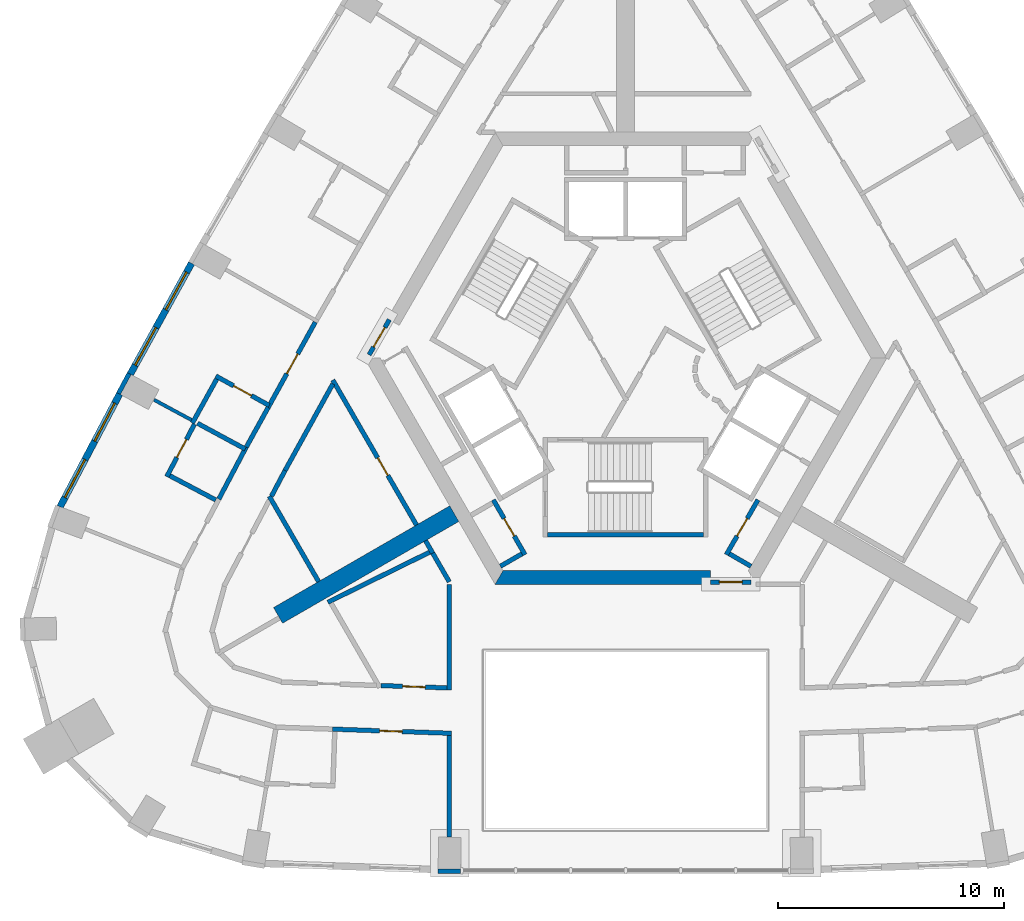
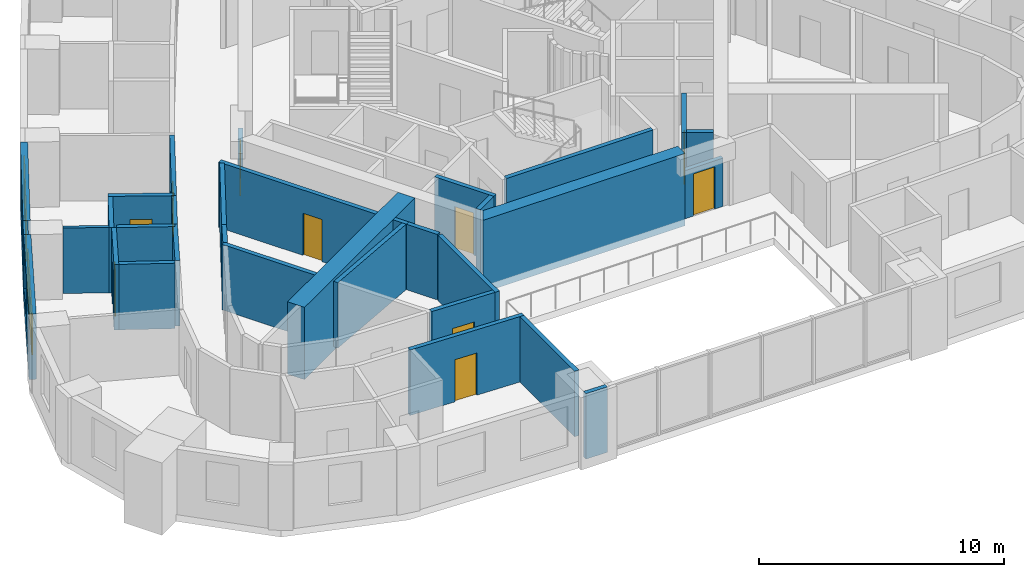
# One storey, part 4 of 12: 33 walls, 10 doors, 4 windows, 14 openings.
"""IFC4 building model written with IfcOpenShell, lengths in metres."""

from ifc_helpers import new_model, si_unit, direction, frame, frame_2d, origin, place, context, subcontext, project, spatial, polyline, rectangle, outline, extrude, material, layer, layer_set, type_object, element, fill, save


model = new_model("IFC4")

# Units and contexts
model_context = context("Model", 3, precision=1e-05, world=origin(), true_north=direction((0.0, 1.0)))
body_context = subcontext(model_context, "Body", "Model", "MODEL_VIEW")
ifc_project = project(units=[si_unit("LENGTHUNIT", "METRE"), si_unit("AREAUNIT", "SQUARE_METRE"), si_unit("VOLUMEUNIT", "CUBIC_METRE"), si_unit("PLANEANGLEUNIT", "RADIAN"), si_unit("MASSUNIT", "GRAM", prefix="KILO")], contexts=[model_context])

# Site, building, storey
site_placement = place(None, origin())
site = spatial("IfcSite", under=ifc_project, at=site_placement, CompositionType="ELEMENT")
building_placement = place(site_placement, origin())
building = spatial("IfcBuilding", under=site, at=building_placement, Name="Entoto Arch Interchange Tower", CompositionType="ELEMENT")
storey_placement = place(building_placement, frame((0.0, 0.0, 255.800048828125)))
storey = spatial("IfcBuildingStorey", under=building, at=storey_placement, Name="L58", CompositionType="ELEMENT", Elevation=255.800048828125)

# Wall
ifc_material_1 = material(Name="Concrete C40/50", Category="concrete")
ifc_layer_1 = layer(ifc_material_1, 0.800048828125)
ifc_layer_set_1 = layer_set([ifc_layer_1], Name="Concrete C40/50")
wall_type_1 = type_object("IfcWallType", Name="Buttress wall 800 C40/50", PredefinedType="SHEAR", material=ifc_layer_set_1)
wall_1_placement = place(storey_placement, frame((-7.577880859375, -4.375, -0.340087890625), z_axis=(0.0, 0.0, 1.0), x_axis=(-0.866024315419, -0.5000018851, 0.0)))
element("IfcWall", 1, at=wall_1_placement, inside=storey, type_object=wall_type_1, Name="Buttress wall SW L58", PredefinedType="SHEAR", context=body_context, shape_type="SweptSolid", body=[
    extrude(rectangle(XDim=9.0, YDim=0.800048828125, at=frame_2d((4.5, 0.0))), origin(), (0.0, 0.0, 1.0), 3.60009765625),
])

# Wall, opening, door
ifc_material_2 = material(Name="Reinforced concrete C40/50", Category="concrete")
ifc_layer_2 = layer(ifc_material_2, 0.199951171875)
ifc_layer_set_2 = layer_set([ifc_layer_2], Name="Reinforced concrete C40/50")
wall_type_2 = type_object("IfcWallType", Name="CORE GAP INFILL WALL", PredefinedType="PARTITIONING", material=ifc_layer_set_2)
wall_2_placement = place(storey_placement, frame((3.75, -7.39990234375, 0.0), z_axis=(0.0, 0.0, 1.0), x_axis=(1.0, 0.0, 0.0)))
wall_2 = element("IfcWall", 2, at=wall_2_placement, inside=storey, type_object=wall_type_2, Name="wall:L58:gap1", PredefinedType="PARTITIONING", context=body_context, shape_type="SweptSolid", body=[
    extrude(rectangle(XDim=1.7939453125, YDim=0.199951171875, at=frame_2d((0.89697265625, 0.0))), origin(), (0.0, 0.0, 1.0), 2.39990234375),
])
opening_1_placement = place(wall_2_placement, frame((0.39697265625, 0.0, 0.0)))
opening_1 = element("IfcOpeningElement", 3, at=opening_1_placement, cuts=wall_2, Name="Opening L58-D91", PredefinedType="OPENING", context=body_context, shape_type="SweptSolid", body=[
    extrude(rectangle(XDim=1.0, YDim=2.10009765625, at=frame_2d((0.5, 1.050048828125))), frame((0.0, 0.10986328125, 0.0), z_axis=(0.0, -1.0, 0.0), x_axis=(1.0, 0.0, 0.0)), (0.0, 0.0, 1.0), 0.219970703125),
])
ifc_material_3 = material(Name="Fire-rated Steel S235 door and frame", Category="steel")
door_type_1 = type_object("IfcDoorType", Name="DOOR FD-10 1000x2100", OperationType="SINGLE_SWING_LEFT", PredefinedType="DOOR", material=ifc_material_3)
door_1_placement = place(opening_1_placement, origin())
door_1 = element("IfcDoor", 4, at=door_1_placement, inside=storey, type_object=door_type_1, Name="door:L58:gap1", OperationType="SINGLE_SWING_LEFT", OverallHeight=2.10009765625, OverallWidth=1.0, PredefinedType="DOOR", context=body_context, shape_type="SweptSolid", body=[
    extrude(rectangle(XDim=1.0, YDim=2.10009765625, at=frame_2d((0.5, 1.050048828125))), frame((0.0, 0.02490234375, 0.0), z_axis=(0.0, -1.0, 0.0), x_axis=(1.0, 0.0, 0.0)), (0.0, 0.0, 1.0), 0.050048828125),
])
fill(opening_1, door_1)

wall_3_placement = place(storey_placement, frame((-10.448974609375, 4.202880859375, 0.0), z_axis=(0.0, 0.0, 1.0), x_axis=(-0.499914839587, -0.866074565589, 0.0)))
wall_3 = element("IfcWall", 5, at=wall_3_placement, inside=storey, type_object=wall_type_2, Name="wall:L58:gap3", PredefinedType="PARTITIONING", context=body_context, shape_type="SweptSolid", body=[
    extrude(rectangle(XDim=1.794189453125, YDim=0.199951171875, at=frame_2d((0.89697265625, 0.0))), origin(), (0.0, 0.0, 1.0), 2.39990234375),
])
opening_2_placement = place(wall_3_placement, frame((0.39697265625, 0.0, 0.0)))
opening_2 = element("IfcOpeningElement", 6, at=opening_2_placement, cuts=wall_3, Name="Opening L58-D93", PredefinedType="OPENING", context=body_context, shape_type="SweptSolid", body=[
    extrude(rectangle(XDim=1.0, YDim=2.10009765625, at=frame_2d((0.5, 1.050048828125))), frame((0.0, 0.10986328125, 0.0), z_axis=(0.0, -1.0, 0.0), x_axis=(1.0, 0.0, 0.0)), (0.0, 0.0, 1.0), 0.219970703125),
])
door_2_placement = place(opening_2_placement, origin())
door_2 = element("IfcDoor", 7, at=door_2_placement, inside=storey, type_object=door_type_1, Name="door:L58:gap3", OperationType="SINGLE_SWING_LEFT", OverallHeight=2.10009765625, OverallWidth=1.0, PredefinedType="DOOR", context=body_context, shape_type="SweptSolid", body=[
    extrude(rectangle(XDim=1.0, YDim=2.10009765625, at=frame_2d((0.5, 1.050048828125))), frame((0.0, 0.02490234375, 0.0), z_axis=(0.0, -1.0, 0.0), x_axis=(1.0, 0.0, 0.0)), (0.0, 0.0, 1.0), 0.050048828125),
])
fill(opening_2, door_2)

# Walls
ifc_layer_3 = layer(ifc_material_1, 0.60009765625)
ifc_layer_set_3 = layer_set([ifc_layer_3], Name="Concrete C40/50")
wall_type_3 = type_object("IfcWallType", Name="Core wall 600 C40/50", PredefinedType="SHEAR", material=ifc_layer_set_3)
wall_4_placement = place(storey_placement, frame((0.0, 0.0, -0.340087890625)))
element("IfcWall", 8, at=wall_4_placement, inside=storey, type_object=wall_type_3, Name="Core wall S L58", PredefinedType="SHEAR", context=body_context, shape_type="SweptSolid", body=[
    extrude(outline(polyline([(3.75, -7.5), (3.75, -6.89990234375), (-5.427001953125, -6.89990234375), (-5.77392578125, -7.5), (3.75, -7.5)])), origin(), (0.0, 0.0, 1.0), 3.60009765625),
])
ifc_material_4 = material(Name="Gypsum board partition on steel studs", Category="steel")
ifc_layer_4 = layer(ifc_material_4, 0.14990234375)
ifc_layer_set_4 = layer_set([ifc_layer_4], Name="Gypsum board partition on steel studs")
wall_type_4 = type_object("IfcWallType", Name="PARTITION 150", PredefinedType="PARTITIONING", material=ifc_layer_set_4)
wall_5_placement = place(storey_placement, frame((-19.198974609375, -0.235107421875, 0.0), z_axis=(0.0, 0.0, 1.0), x_axis=(-0.880166754904, 0.474664601126, 0.0)))
element("IfcWall", 9, at=wall_5_placement, inside=storey, type_object=wall_type_4, Name="wall:L58:p170", PredefinedType="PARTITIONING", context=body_context, shape_type="SweptSolid", body=[
    extrude(rectangle(XDim=1.88134765625, YDim=0.14990234375, at=frame_2d((0.940673828125, 0.0))), origin(), (0.0, 0.0, 1.0), 3.260009765625),
])
ifc_layer_5 = layer(ifc_material_4, 0.199951171875)
ifc_layer_set_5 = layer_set([ifc_layer_5], Name="Gypsum board partition on steel studs")
wall_type_5 = type_object("IfcWallType", Name="PARTITION 200", PredefinedType="PARTITIONING", material=ifc_layer_set_5)
wall_6_placement = place(storey_placement, frame((-8.531982421875, -6.123046875, 0.0), z_axis=(0.0, 0.0, 1.0), x_axis=(-0.499977104415, 0.866038622153, 0.0)))
element("IfcWall", 10, at=wall_6_placement, inside=storey, type_object=wall_type_5, Name="wall:L58:p025", PredefinedType="PARTITIONING", context=body_context, shape_type="SweptSolid", body=[
    extrude(rectangle(XDim=0.63623046875, YDim=0.199951171875, at=frame_2d((0.318115234375, 0.0))), origin(), (0.0, 0.0, 1.0), 3.260009765625),
])
wall_7_placement = place(storey_placement, frame((-12.949951171875, 1.360107421875, 0.0), z_axis=(0.0, 0.0, 1.0), x_axis=(-0.483418231124, -0.875389521194, 0.0)))
element("IfcWall", 11, at=wall_7_placement, inside=storey, type_object=wall_type_5, Name="wall:L58:p026", PredefinedType="PARTITIONING", context=body_context, shape_type="SweptSolid", body=[
    extrude(rectangle(XDim=4.373046875, YDim=0.199951171875, at=frame_2d((2.1865234375, 0.0))), origin(), (0.0, 0.0, 1.0), 3.260009765625),
])
wall_8_placement = place(storey_placement, frame((-15.06396484375, -2.468017578125, 0.0), z_axis=(0.0, 0.0, 1.0), x_axis=(-0.467126648849, -0.884190417238, 0.0)))
element("IfcWall", 12, at=wall_8_placement, inside=storey, type_object=wall_type_5, Name="wall:L58:p027", PredefinedType="PARTITIONING", context=body_context, shape_type="SweptSolid", body=[
    extrude(rectangle(XDim=1.282470703125, YDim=0.199951171875, at=frame_2d((0.64111328125, 0.0))), origin(), (0.0, 0.0, 1.0), 3.260009765625),
])
wall_9_placement = place(storey_placement, frame((-7.800048828125, -7.389892578125, 0.0), z_axis=(0.0, 0.0, 1.0), x_axis=(-0.500266477503, 0.865871498253, 0.0)))
element("IfcWall", 13, at=wall_9_placement, inside=storey, type_object=wall_type_5, Name="wall:L58:p028", PredefinedType="PARTITIONING", context=body_context, shape_type="SweptSolid", body=[
    extrude(rectangle(XDim=1.463134765625, YDim=0.199951171875, at=frame_2d((0.7314453125, 0.0))), origin(), (0.0, 0.0, 1.0), 3.260009765625),
])

# Wall, opening, door
wall_10_placement = place(storey_placement, frame((-10.825927734375, -11.97802734375, 0.0), z_axis=(0.0, 0.0, 1.0), x_axis=(0.999380679818, -0.035188873332, 0.0)))
wall_10 = element("IfcWall", 14, at=wall_10_placement, inside=storey, type_object=wall_type_5, Name="wall:L58:p029", PredefinedType="PARTITIONING", context=body_context, shape_type="SweptSolid", body=[
    extrude(rectangle(XDim=2.927734375, YDim=0.199951171875, at=frame_2d((1.4638671875, 0.0))), origin(), (0.0, 0.0, 1.0), 3.260009765625),
])
opening_3_placement = place(wall_10_placement, frame((0.964111328125, 0.0, 0.0)))
opening_3 = element("IfcOpeningElement", 15, at=opening_3_placement, cuts=wall_10, Name="Opening L58-D41", PredefinedType="OPENING", context=body_context, shape_type="SweptSolid", body=[
    extrude(rectangle(XDim=1.0, YDim=2.10009765625, at=frame_2d((0.5, 1.050048828125))), frame((0.0, 0.10986328125, 0.0), z_axis=(0.0, -1.0, 0.0), x_axis=(1.0, 0.0, 0.0)), (0.0, 0.0, 1.0), 0.219970703125),
])
ifc_material_5 = material(Name="Timber door leaf in Steel S235 frame", Category="steel")
door_type_2 = type_object("IfcDoorType", Name="DOOR DS-10 1000x2100", OperationType="SINGLE_SWING_LEFT", PredefinedType="DOOR", material=ifc_material_5)
door_3_placement = place(opening_3_placement, origin())
door_3 = element("IfcDoor", 16, at=door_3_placement, inside=storey, type_object=door_type_2, Name="door:L58:41", OperationType="SINGLE_SWING_LEFT", OverallHeight=2.10009765625, OverallWidth=1.0, PredefinedType="DOOR", context=body_context, shape_type="SweptSolid", body=[
    extrude(rectangle(XDim=1.0, YDim=2.10009765625, at=frame_2d((0.5, 1.050048828125))), frame((0.0, 0.02490234375, 0.0), z_axis=(0.0, -1.0, 0.0), x_axis=(1.0, 0.0, 0.0)), (0.0, 0.0, 1.0), 0.050048828125),
])
fill(opening_3, door_3)

wall_11_placement = place(storey_placement, frame((-15.80908203125, 0.320068359375, 0.0), z_axis=(0.0, 0.0, 1.0), x_axis=(0.483322920175, 0.875442148193, 0.0)))
wall_11 = element("IfcWall", 17, at=wall_11_placement, inside=storey, type_object=wall_type_5, Name="wall:L58:p062", PredefinedType="PARTITIONING", context=body_context, shape_type="SweptSolid", body=[
    extrude(rectangle(XDim=4.309814453125, YDim=0.199951171875, at=frame_2d((2.15478515625, 0.0))), origin(), (0.0, 0.0, 1.0), 3.260009765625),
])
opening_4_placement = place(wall_11_placement, frame((1.705078125, 0.0, 0.0)))
opening_4 = element("IfcOpeningElement", 18, at=opening_4_placement, cuts=wall_11, Name="Opening L58-D25", PredefinedType="OPENING", context=body_context, shape_type="SweptSolid", body=[
    extrude(rectangle(XDim=1.0, YDim=2.10009765625, at=frame_2d((0.5, 1.050048828125))), frame((0.0, 0.10986328125, 0.0), z_axis=(0.0, -1.0, 0.0), x_axis=(1.0, 0.0, 0.0)), (0.0, 0.0, 1.0), 0.219970703125),
])
door_4_placement = place(opening_4_placement, origin())
door_4 = element("IfcDoor", 19, at=door_4_placement, inside=storey, type_object=door_type_1, Name="door:L58:25", OperationType="SINGLE_SWING_RIGHT", OverallHeight=2.10009765625, OverallWidth=1.0, PredefinedType="DOOR", context=body_context, shape_type="SweptSolid", body=[
    extrude(rectangle(XDim=1.0, YDim=2.10009765625, at=frame_2d((0.5, 1.050048828125))), frame((0.0, 0.02490234375, 0.0), z_axis=(0.0, -1.0, 0.0), x_axis=(1.0, 0.0, 0.0)), (0.0, 0.0, 1.0), 0.050048828125),
])
fill(opening_4, door_4)

# Walls
wall_12_placement = place(storey_placement, frame((-16.77587890625, -1.429931640625, 0.0), z_axis=(0.0, 0.0, 1.0), x_axis=(0.48360724937, 0.87528511261, 0.0)))
element("IfcWall", 20, at=wall_12_placement, inside=storey, type_object=wall_type_5, Name="wall:L58:p063", PredefinedType="PARTITIONING", context=body_context, shape_type="SweptSolid", body=[
    extrude(rectangle(XDim=1.9970703125, YDim=0.199951171875, at=frame_2d((0.99853515625, 0.0))), origin(), (0.0, 0.0, 1.0), 3.260009765625),
])
wall_13_placement = place(storey_placement, frame((-17.990966796875, -3.72900390625, 0.0), z_axis=(0.0, 0.0, 1.0), x_axis=(0.466450569784, 0.88454726609, 0.0)))
element("IfcWall", 21, at=wall_13_placement, inside=storey, type_object=wall_type_5, Name="wall:L58:p065", PredefinedType="PARTITIONING", context=body_context, shape_type="SweptSolid", body=[
    extrude(rectangle(XDim=2.600341796875, YDim=0.199951171875, at=frame_2d((1.30029296875, 0.0))), origin(), (0.0, 0.0, 1.0), 3.260009765625),
])

# Wall, opening, door
wall_14_placement = place(storey_placement, frame((-7.699951171875, -14.089111328125, 0.0), z_axis=(0.0, 0.0, 1.0), x_axis=(-0.999388410674, 0.034968623214, 0.0)))
wall_14 = element("IfcWall", 22, at=wall_14_placement, inside=storey, type_object=wall_type_5, Name="wall:L58:p070", PredefinedType="PARTITIONING", context=body_context, shape_type="SweptSolid", body=[
    extrude(rectangle(XDim=5.26416015625, YDim=0.199951171875, at=frame_2d((2.632080078125, 0.0))), origin(), (0.0, 0.0, 1.0), 3.260009765625),
])
opening_5_placement = place(wall_14_placement, frame((2.181884765625, 0.0, 0.0)))
opening_5 = element("IfcOpeningElement", 23, at=opening_5_placement, cuts=wall_14, Name="Opening L58-D31", PredefinedType="OPENING", context=body_context, shape_type="SweptSolid", body=[
    extrude(rectangle(XDim=1.0, YDim=2.10009765625, at=frame_2d((0.5, 1.050048828125))), frame((0.0, 0.10986328125, 0.0), z_axis=(0.0, -1.0, 0.0), x_axis=(1.0, 0.0, 0.0)), (0.0, 0.0, 1.0), 0.219970703125),
])
door_5_placement = place(opening_5_placement, origin())
door_5 = element("IfcDoor", 24, at=door_5_placement, inside=storey, type_object=door_type_1, Name="door:L58:31", OperationType="SINGLE_SWING_LEFT", OverallHeight=2.10009765625, OverallWidth=1.0, PredefinedType="DOOR", context=body_context, shape_type="SweptSolid", body=[
    extrude(rectangle(XDim=1.0, YDim=2.10009765625, at=frame_2d((0.5, 1.050048828125))), frame((0.0, 0.02490234375, 0.0), z_axis=(0.0, -1.0, 0.0), x_axis=(1.0, 0.0, 0.0)), (0.0, 0.0, 1.0), 0.050048828125),
])
fill(opening_5, door_5)

# Wall
wall_15_placement = place(storey_placement, frame((5.541015625, -6.702880859375, 0.0), z_axis=(0.0, 0.0, 1.0), x_axis=(-0.86621513555, 0.499671230855, 0.0)))
element("IfcWall", 25, at=wall_15_placement, inside=storey, type_object=wall_type_5, Name="wall:L58:p078", PredefinedType="PARTITIONING", context=body_context, shape_type="SweptSolid", body=[
    extrude(rectangle(XDim=1.100341796875, YDim=0.199951171875, at=frame_2d((0.55029296875, 0.0))), origin(), (0.0, 0.0, 1.0), 3.260009765625),
])

# Wall, opening, door
wall_16_placement = place(storey_placement, frame((4.450927734375, -6.18994140625, 0.0), z_axis=(0.0, 0.0, 1.0), x_axis=(0.500011755427, 0.866018616679, 0.0)))
wall_16 = element("IfcWall", 26, at=wall_16_placement, inside=storey, type_object=wall_type_5, Name="wall:L58:p079", PredefinedType="PARTITIONING", context=body_context, shape_type="SweptSolid", body=[
    extrude(rectangle(XDim=2.80029296875, YDim=0.199951171875, at=frame_2d((1.400146484375, 0.0))), origin(), (0.0, 0.0, 1.0), 3.260009765625),
])
opening_6_placement = place(wall_16_placement, frame((0.949951171875, 0.0, 0.0)))
opening_6 = element("IfcOpeningElement", 27, at=opening_6_placement, cuts=wall_16, Name="Opening L58-D50", PredefinedType="OPENING", context=body_context, shape_type="SweptSolid", body=[
    extrude(rectangle(XDim=0.89990234375, YDim=2.10009765625, at=frame_2d((0.449951171875, 1.050048828125))), frame((0.0, 0.10986328125, 0.0), z_axis=(0.0, -1.0, 0.0), x_axis=(1.0, 0.0, 0.0)), (0.0, 0.0, 1.0), 0.219970703125),
])
door_type_3 = type_object("IfcDoorType", Name="DOOR DS-09 900x2100", OperationType="SINGLE_SWING_LEFT", PredefinedType="DOOR", material=ifc_material_5)
door_6_placement = place(opening_6_placement, origin())
door_6 = element("IfcDoor", 28, at=door_6_placement, inside=storey, type_object=door_type_3, Name="door:L58:50", OperationType="SINGLE_SWING_LEFT", OverallHeight=2.10009765625, OverallWidth=0.89990234375, PredefinedType="DOOR", context=body_context, shape_type="SweptSolid", body=[
    extrude(rectangle(XDim=0.89990234375, YDim=2.10009765625, at=frame_2d((0.449951171875, 1.050048828125))), frame((0.0, 0.02490234375, 0.0), z_axis=(0.0, -1.0, 0.0), x_axis=(1.0, 0.0, 0.0)), (0.0, 0.0, 1.0), 0.050048828125),
])
fill(opening_6, door_6)

wall_17_placement = place(storey_placement, frame((-5.85107421875, -3.764892578125, 0.0), z_axis=(0.0, 0.0, 1.0), x_axis=(0.500011755427, -0.866018616679, 0.0)))
wall_17 = element("IfcWall", 29, at=wall_17_placement, inside=storey, type_object=wall_type_5, Name="wall:L58:p087", PredefinedType="PARTITIONING", context=body_context, shape_type="SweptSolid", body=[
    extrude(rectangle(XDim=2.80029296875, YDim=0.199951171875, at=frame_2d((1.400146484375, 0.0))), origin(), (0.0, 0.0, 1.0), 3.260009765625),
])
opening_7_placement = place(wall_17_placement, frame((0.949951171875, 0.0, 0.0)))
opening_7 = element("IfcOpeningElement", 30, at=opening_7_placement, cuts=wall_17, Name="Opening L58-D53", PredefinedType="OPENING", context=body_context, shape_type="SweptSolid", body=[
    extrude(rectangle(XDim=0.89990234375, YDim=2.10009765625, at=frame_2d((0.449951171875, 1.050048828125))), frame((0.0, 0.10986328125, 0.0), z_axis=(0.0, -1.0, 0.0), x_axis=(1.0, 0.0, 0.0)), (0.0, 0.0, 1.0), 0.219970703125),
])
door_7_placement = place(opening_7_placement, origin())
door_7 = element("IfcDoor", 31, at=door_7_placement, inside=storey, type_object=door_type_3, Name="door:L58:53", OperationType="SINGLE_SWING_RIGHT", OverallHeight=2.10009765625, OverallWidth=0.89990234375, PredefinedType="DOOR", context=body_context, shape_type="SweptSolid", body=[
    extrude(rectangle(XDim=0.89990234375, YDim=2.10009765625, at=frame_2d((0.449951171875, 1.050048828125))), frame((0.0, 0.02490234375, 0.0), z_axis=(0.0, -1.0, 0.0), x_axis=(1.0, 0.0, 0.0)), (0.0, 0.0, 1.0), 0.050048828125),
])
fill(opening_7, door_7)

# Walls
wall_18_placement = place(storey_placement, frame((-4.587890625, -6.153076171875, 0.0), z_axis=(0.0, 0.0, 1.0), x_axis=(-0.86621513555, -0.499671230855, 0.0)))
element("IfcWall", 32, at=wall_18_placement, inside=storey, type_object=wall_type_5, Name="wall:L58:p088", PredefinedType="PARTITIONING", context=body_context, shape_type="SweptSolid", body=[
    extrude(rectangle(XDim=1.100341796875, YDim=0.199951171875, at=frame_2d((0.55029296875, 0.0))), origin(), (0.0, 0.0, 1.0), 3.260009765625),
])
wall_19_placement = place(storey_placement, frame((-7.800048828125, -12.18408203125, 0.0), z_axis=(0.0, 0.0, 1.0), x_axis=(0.0, 1.0, 0.0)))
element("IfcWall", 33, at=wall_19_placement, inside=storey, type_object=wall_type_5, Name="wall:L58:p106", PredefinedType="PARTITIONING", context=body_context, shape_type="SweptSolid", body=[
    extrude(rectangle(XDim=4.68505859375, YDim=0.199951171875, at=frame_2d((2.342529296875, 0.0))), origin(), (0.0, 0.0, 1.0), 3.260009765625),
])
wall_20_placement = place(storey_placement, frame((-7.800048828125, -18.6689453125, 0.0), z_axis=(0.0, 0.0, 1.0), x_axis=(0.0, 1.0, 0.0)))
element("IfcWall", 34, at=wall_20_placement, inside=storey, type_object=wall_type_5, Name="wall:L58:p109", PredefinedType="PARTITIONING", context=body_context, shape_type="SweptSolid", body=[
    extrude(rectangle(XDim=4.48388671875, YDim=0.199951171875, at=frame_2d((2.241943359375, 0.0))), origin(), (0.0, 0.0, 1.0), 3.260009765625),
])
wall_21_placement = place(storey_placement, frame((-8.58203125, -6.035888671875, 0.0), z_axis=(0.0, 0.0, 1.0), x_axis=(-0.897105141673, -0.441817116897, 0.0)))
element("IfcWall", 35, at=wall_21_placement, inside=storey, type_object=wall_type_5, Name="wall:L58:p118", PredefinedType="PARTITIONING", context=body_context, shape_type="SweptSolid", body=[
    extrude(rectangle(XDim=5.11083984375, YDim=0.199951171875, at=frame_2d((2.555419921875, 0.0))), origin(), (0.0, 0.0, 1.0), 3.260009765625),
])
wall_22_placement = place(storey_placement, frame((-13.580078125, -7.37890625, 0.0), z_axis=(0.0, 0.0, 1.0), x_axis=(-0.499916403993, 0.866073662582, 0.0)))
element("IfcWall", 36, at=wall_22_placement, inside=storey, type_object=wall_type_5, Name="wall:L58:p119", PredefinedType="PARTITIONING", context=body_context, shape_type="SweptSolid", body=[
    extrude(rectangle(XDim=4.358642578125, YDim=0.199951171875, at=frame_2d((2.17919921875, 0.0))), origin(), (0.0, 0.0, 1.0), 3.260009765625),
])

# Wall, opening, door
wall_23_placement = place(storey_placement, frame((-15.760986328125, 0.407958984375, 0.0), z_axis=(0.0, 0.0, 1.0), x_axis=(-0.875391622802, 0.483414425445, 0.0)))
wall_23 = element("IfcWall", 37, at=wall_23_placement, inside=storey, type_object=wall_type_5, Name="wall:L58:p168", PredefinedType="PARTITIONING", context=body_context, shape_type="SweptSolid", body=[
    extrude(rectangle(XDim=2.699462890625, YDim=0.199951171875, at=frame_2d((1.349609375, 0.0))), origin(), (0.0, 0.0, 1.0), 3.260009765625),
])
opening_8_placement = place(wall_23_placement, frame((0.89990234375, 0.0, 0.0)))
opening_8 = element("IfcOpeningElement", 38, at=opening_8_placement, cuts=wall_23, Name="Opening L58-D26", PredefinedType="OPENING", context=body_context, shape_type="SweptSolid", body=[
    extrude(rectangle(XDim=0.89990234375, YDim=2.10009765625, at=frame_2d((0.449951171875, 1.050048828125))), frame((0.0, 0.10986328125, 0.0), z_axis=(0.0, -1.0, 0.0), x_axis=(1.0, 0.0, 0.0)), (0.0, 0.0, 1.0), 0.219970703125),
])
door_8_placement = place(opening_8_placement, origin())
door_8 = element("IfcDoor", 39, at=door_8_placement, inside=storey, type_object=door_type_3, Name="door:L58:26", OperationType="SINGLE_SWING_LEFT", OverallHeight=2.10009765625, OverallWidth=0.89990234375, PredefinedType="DOOR", context=body_context, shape_type="SweptSolid", body=[
    extrude(rectangle(XDim=0.89990234375, YDim=2.10009765625, at=frame_2d((0.449951171875, 1.050048828125))), frame((0.0, 0.02490234375, 0.0), z_axis=(0.0, -1.0, 0.0), x_axis=(1.0, 0.0, 0.0)), (0.0, 0.0, 1.0), 0.050048828125),
])
fill(opening_8, door_8)

# Walls
wall_24_placement = place(storey_placement, frame((-18.0849609375, 1.576904296875, 0.0), z_axis=(0.0, 0.0, 1.0), x_axis=(-0.483329790342, -0.875438355207, 0.0)))
element("IfcWall", 40, at=wall_24_placement, inside=storey, type_object=wall_type_5, Name="wall:L58:p169", PredefinedType="PARTITIONING", context=body_context, shape_type="SweptSolid", body=[
    extrude(rectangle(XDim=2.22412109375, YDim=0.199951171875, at=frame_2d((1.112060546875, 0.0))), origin(), (0.0, 0.0, 1.0), 3.260009765625),
])
wall_25_placement = place(storey_placement, frame((-16.823974609375, -1.51806640625, 0.0), z_axis=(0.0, 0.0, 1.0), x_axis=(-0.879879019938, 0.47519775912, 0.0)))
element("IfcWall", 41, at=wall_25_placement, inside=storey, type_object=wall_type_5, Name="wall:L58:p171", PredefinedType="PARTITIONING", context=body_context, shape_type="SweptSolid", body=[
    extrude(rectangle(XDim=2.399169921875, YDim=0.199951171875, at=frame_2d((1.19970703125, 0.0))), origin(), (0.0, 0.0, 1.0), 3.260009765625),
])

# Wall, opening, door
wall_26_placement = place(storey_placement, frame((-19.069091796875, -0.41796875, 0.0), z_axis=(0.0, 0.0, 1.0), x_axis=(-0.467007153784, -0.884253537349, 0.0)))
wall_26 = element("IfcWall", 42, at=wall_26_placement, inside=storey, type_object=wall_type_5, Name="wall:L58:p172", PredefinedType="PARTITIONING", context=body_context, shape_type="SweptSolid", body=[
    extrude(rectangle(XDim=2.624755859375, YDim=0.199951171875, at=frame_2d((1.3125, 0.0))), origin(), (0.0, 0.0, 1.0), 3.260009765625),
])
opening_9_placement = place(wall_26_placement, frame((0.762939453125, 0.0, 0.0)))
opening_9 = element("IfcOpeningElement", 43, at=opening_9_placement, cuts=wall_26, Name="Opening L58-D28", PredefinedType="OPENING", context=body_context, shape_type="SweptSolid", body=[
    extrude(rectangle(XDim=0.89990234375, YDim=2.10009765625, at=frame_2d((0.449951171875, 1.050048828125))), frame((0.0, 0.10986328125, 0.0), z_axis=(0.0, -1.0, 0.0), x_axis=(1.0, 0.0, 0.0)), (0.0, 0.0, 1.0), 0.219970703125),
])
door_9_placement = place(opening_9_placement, origin())
door_9 = element("IfcDoor", 44, at=door_9_placement, inside=storey, type_object=door_type_3, Name="door:L58:28", OperationType="SINGLE_SWING_LEFT", OverallHeight=2.10009765625, OverallWidth=0.89990234375, PredefinedType="DOOR", context=body_context, shape_type="SweptSolid", body=[
    extrude(rectangle(XDim=0.89990234375, YDim=2.10009765625, at=frame_2d((0.449951171875, 1.050048828125))), frame((0.0, 0.02490234375, 0.0), z_axis=(0.0, -1.0, 0.0), x_axis=(1.0, 0.0, 0.0)), (0.0, 0.0, 1.0), 0.050048828125),
])
fill(opening_9, door_9)

# Wall
wall_27_placement = place(storey_placement, frame((-20.159912109375, -2.697021484375, 0.0), z_axis=(0.0, 0.0, 1.0), x_axis=(0.884293452572, -0.466931568583, 0.0)))
element("IfcWall", 45, at=wall_27_placement, inside=storey, type_object=wall_type_5, Name="wall:L58:p173", PredefinedType="PARTITIONING", context=body_context, shape_type="SweptSolid", body=[
    extrude(rectangle(XDim=2.300048828125, YDim=0.199951171875, at=frame_2d((1.14990234375, 0.0))), origin(), (0.0, 0.0, 1.0), 3.260009765625),
])

# Wall, opening, door
wall_28_placement = place(storey_placement, frame((-9.25, -4.87890625, 0.0), z_axis=(0.0, 0.0, 1.0), x_axis=(-0.499944124422, 0.866057661161, 0.0)))
wall_28 = element("IfcWall", 46, at=wall_28_placement, inside=storey, type_object=wall_type_5, Name="wall:L58:p025", PredefinedType="PARTITIONING", context=body_context, shape_type="SweptSolid", body=[
    extrude(rectangle(XDim=7.404541015625, YDim=0.199951171875, at=frame_2d((3.7021484375, 0.0))), origin(), (0.0, 0.0, 1.0), 3.260009765625),
])
opening_10_placement = place(wall_28_placement, frame((2.532958984375, 0.0, 0.0)))
opening_10 = element("IfcOpeningElement", 47, at=opening_10_placement, cuts=wall_28, Name="Opening L58-D40", PredefinedType="OPENING", context=body_context, shape_type="SweptSolid", body=[
    extrude(rectangle(XDim=0.89990234375, YDim=2.10009765625, at=frame_2d((0.449951171875, 1.050048828125))), frame((0.0, 0.10986328125, 0.0), z_axis=(0.0, -1.0, 0.0), x_axis=(1.0, 0.0, 0.0)), (0.0, 0.0, 1.0), 0.219970703125),
])
door_10_placement = place(opening_10_placement, origin())
door_10 = element("IfcDoor", 48, at=door_10_placement, inside=storey, type_object=door_type_3, Name="door:L58:40", OperationType="SINGLE_SWING_RIGHT", OverallHeight=2.10009765625, OverallWidth=0.89990234375, PredefinedType="DOOR", context=body_context, shape_type="SweptSolid", body=[
    extrude(rectangle(XDim=0.89990234375, YDim=2.10009765625, at=frame_2d((0.449951171875, 1.050048828125))), frame((0.0, 0.02490234375, 0.0), z_axis=(0.0, -1.0, 0.0), x_axis=(1.0, 0.0, 0.0)), (0.0, 0.0, 1.0), 0.050048828125),
])
fill(opening_10, door_10)

# Wall
ifc_layer_6 = layer(ifc_material_1, 0.199951171875)
ifc_layer_set_6 = layer_set([ifc_layer_6], Name="Concrete C40/50")
wall_type_6 = type_object("IfcWallType", Name="STAIR ENCLOSURE WALL 200", PredefinedType="STANDARD", material=ifc_layer_set_6)
wall_29_placement = place(storey_placement, frame((-3.449951171875, -5.300048828125, 0.0), z_axis=(0.0, 0.0, 1.0), x_axis=(1.0, 0.0, 0.0)))
element("IfcWall", 49, at=wall_29_placement, inside=storey, type_object=wall_type_6, Name="Stair wall ST-S back", PredefinedType="STANDARD", context=body_context, shape_type="SweptSolid", body=[
    extrude(rectangle(XDim=6.89990234375, YDim=0.199951171875, at=frame_2d((3.449951171875, 0.0))), origin(), (0.0, 0.0, 1.0), 3.260009765625),
])

# Wall, openings, windows
ifc_material_6 = material(Name="Welded tuff (ignimbrite) cladding, warm buff", Category="masonry")
ifc_layer_7 = layer(ifc_material_6, 0.300048828125)
ifc_layer_set_7 = layer_set([ifc_layer_7], Name="Welded tuff (ignimbrite) cladding, warm buff")
wall_type_7 = type_object("IfcWallType", Name="STONE INFILL WALL 300", PredefinedType="STANDARD", material=ifc_layer_set_7)
wall_30_placement = place(storey_placement, frame((-19.198974609375, 6.697021484375, 0.0), z_axis=(0.0, 0.0, 1.0), x_axis=(-0.483469062695, -0.875361448441, 0.0)))
wall_30 = element("IfcWall", 50, at=wall_30_placement, inside=storey, type_object=wall_type_7, Name="Facade wall NW-04 L58", PredefinedType="STANDARD", context=body_context, shape_type="SweptSolid", body=[
    extrude(rectangle(XDim=5.601318359375, YDim=0.300048828125, at=frame_2d((2.80078125, 0.0))), origin(), (0.0, 0.0, 1.0), 3.260009765625),
])
opening_11_placement = place(wall_30_placement, frame((0.449951171875, 0.0, 0.89990234375)))
opening_11 = element("IfcOpeningElement", 51, at=opening_11_placement, cuts=wall_30, Name="Opening WH-C", PredefinedType="OPENING", context=body_context, shape_type="SweptSolid", body=[
    extrude(rectangle(XDim=1.89990234375, YDim=2.0, at=frame_2d((0.949951171875, 1.0))), frame((0.0, 0.16015625, 0.0), z_axis=(0.0, -1.0, 0.0), x_axis=(1.0, 0.0, 0.0)), (0.0, 0.0, 1.0), 0.320068359375),
])
opening_12_placement = place(wall_30_placement, frame((3.2509765625, 0.0, 0.89990234375)))
opening_12 = element("IfcOpeningElement", 52, at=opening_12_placement, cuts=wall_30, Name="Opening WH-C", PredefinedType="OPENING", context=body_context, shape_type="SweptSolid", body=[
    extrude(rectangle(XDim=1.89990234375, YDim=2.0, at=frame_2d((0.949951171875, 1.0))), frame((0.0, 0.16015625, 0.0), z_axis=(0.0, -1.0, 0.0), x_axis=(1.0, 0.0, 0.0)), (0.0, 0.0, 1.0), 0.320068359375),
])
ifc_material_7 = material(Name="Clear glass, low-e double glazed", Category="glass")
window_type = type_object("IfcWindowType", Name="WINDOW WH-C 1900x2000", PartitioningType="DOUBLE_PANEL_VERTICAL", PredefinedType="WINDOW", material=ifc_material_7)
window_1_placement = place(opening_11_placement, origin())
window_1 = element("IfcWindow", 53, at=window_1_placement, inside=storey, type_object=window_type, Name="Window WH-C NW-04 L58", OverallHeight=2.0, OverallWidth=1.89990234375, PartitioningType="SINGLE_PANEL", PredefinedType="WINDOW", context=body_context, shape_type="SweptSolid", body=[
    extrude(rectangle(XDim=1.89990234375, YDim=2.0, at=frame_2d((0.949951171875, 1.0))), frame((0.0, 0.030029296875, 0.0), z_axis=(0.0, -1.0, 0.0), x_axis=(1.0, 0.0, 0.0)), (0.0, 0.0, 1.0), 0.06005859375),
])
fill(opening_11, window_1)
window_2_placement = place(opening_12_placement, origin())
window_2 = element("IfcWindow", 54, at=window_2_placement, inside=storey, type_object=window_type, Name="Window WH-C NW-04 L58", OverallHeight=2.0, OverallWidth=1.89990234375, PartitioningType="SINGLE_PANEL", PredefinedType="WINDOW", context=body_context, shape_type="SweptSolid", body=[
    extrude(rectangle(XDim=1.89990234375, YDim=2.0, at=frame_2d((0.949951171875, 1.0))), frame((0.0, 0.030029296875, 0.0), z_axis=(0.0, -1.0, 0.0), x_axis=(1.0, 0.0, 0.0)), (0.0, 0.0, 1.0), 0.06005859375),
])
fill(opening_12, window_2)

wall_31_placement = place(storey_placement, frame((-22.381103515625, 0.916015625, 0.0), z_axis=(0.0, 0.0, 1.0), x_axis=(-0.466663589714, -0.884434900959, 0.0)))
wall_31 = element("IfcWall", 55, at=wall_31_placement, inside=storey, type_object=wall_type_7, Name="Facade wall NW-05 L58", PredefinedType="STANDARD", context=body_context, shape_type="SweptSolid", body=[
    extrude(rectangle(XDim=5.6376953125, YDim=0.300048828125, at=frame_2d((2.81884765625, 0.0))), origin(), (0.0, 0.0, 1.0), 3.260009765625),
])
opening_13_placement = place(wall_31_placement, frame((0.458984375, 0.0, 0.89990234375)))
opening_13 = element("IfcOpeningElement", 56, at=opening_13_placement, cuts=wall_31, Name="Opening WH-C", PredefinedType="OPENING", context=body_context, shape_type="SweptSolid", body=[
    extrude(rectangle(XDim=1.89990234375, YDim=2.0, at=frame_2d((0.949951171875, 1.0))), frame((0.0, 0.16015625, 0.0), z_axis=(0.0, -1.0, 0.0), x_axis=(1.0, 0.0, 0.0)), (0.0, 0.0, 1.0), 0.320068359375),
])
opening_14_placement = place(wall_31_placement, frame((3.278076171875, 0.0, 0.89990234375)))
opening_14 = element("IfcOpeningElement", 57, at=opening_14_placement, cuts=wall_31, Name="Opening WH-C", PredefinedType="OPENING", context=body_context, shape_type="SweptSolid", body=[
    extrude(rectangle(XDim=1.89990234375, YDim=2.0, at=frame_2d((0.949951171875, 1.0))), frame((0.0, 0.16015625, 0.0), z_axis=(0.0, -1.0, 0.0), x_axis=(1.0, 0.0, 0.0)), (0.0, 0.0, 1.0), 0.320068359375),
])
window_3_placement = place(opening_13_placement, origin())
window_3 = element("IfcWindow", 58, at=window_3_placement, inside=storey, type_object=window_type, Name="Window WH-C NW-05 L58", OverallHeight=2.0, OverallWidth=1.89990234375, PartitioningType="SINGLE_PANEL", PredefinedType="WINDOW", context=body_context, shape_type="SweptSolid", body=[
    extrude(rectangle(XDim=1.89990234375, YDim=2.0, at=frame_2d((0.949951171875, 1.0))), frame((0.0, 0.030029296875, 0.0), z_axis=(0.0, -1.0, 0.0), x_axis=(1.0, 0.0, 0.0)), (0.0, 0.0, 1.0), 0.06005859375),
])
fill(opening_13, window_3)
window_4_placement = place(opening_14_placement, origin())
window_4 = element("IfcWindow", 59, at=window_4_placement, inside=storey, type_object=window_type, Name="Window WH-C NW-05 L58", OverallHeight=2.0, OverallWidth=1.89990234375, PartitioningType="SINGLE_PANEL", PredefinedType="WINDOW", context=body_context, shape_type="SweptSolid", body=[
    extrude(rectangle(XDim=1.89990234375, YDim=2.0, at=frame_2d((0.949951171875, 1.0))), frame((0.0, 0.030029296875, 0.0), z_axis=(0.0, -1.0, 0.0), x_axis=(1.0, 0.0, 0.0)), (0.0, 0.0, 1.0), 0.06005859375),
])
fill(opening_14, window_4)

# Walls
ifc_layer_8 = layer(ifc_material_6, 0.199951171875)
ifc_layer_set_8 = layer_set([ifc_layer_8], Name="Welded tuff (ignimbrite) cladding, warm buff")
wall_type_8 = type_object("IfcWallType", Name="STONE PIER CLADDING 200", PredefinedType="STANDARD", material=ifc_layer_set_8)
wall_32_placement = place(storey_placement, frame((-21.955078125, 1.821044921875, 0.0), z_axis=(0.0, 0.0, 1.0), x_axis=(-0.473663196434, -0.88070606694, 0.0)))
element("IfcWall", 60, at=wall_32_placement, inside=storey, type_object=wall_type_8, Name="Stone pier NW05 L58", PredefinedType="STANDARD", context=body_context, shape_type="SweptSolid", body=[
    extrude(rectangle(XDim=1.00048828125, YDim=0.199951171875, at=frame_2d((0.500244140625, 0.0))), origin(), (0.0, 0.0, 1.0), 3.260009765625),
])
wall_33_placement = place(storey_placement, frame((-8.298095703125, -20.179931640625, 0.0), z_axis=(0.0, 0.0, 1.0), x_axis=(0.999836842422, -0.018063458579, 0.0)))
element("IfcWall", 61, at=wall_33_placement, inside=storey, type_object=wall_type_8, Name="Stone pier S02 L58", PredefinedType="STANDARD", context=body_context, shape_type="SweptSolid", body=[
    extrude(rectangle(XDim=1.000244140625, YDim=0.199951171875, at=frame_2d((0.5, 0.0))), origin(), (0.0, 0.0, 1.0), 3.260009765625),
])

save(model, "model.ifc")
